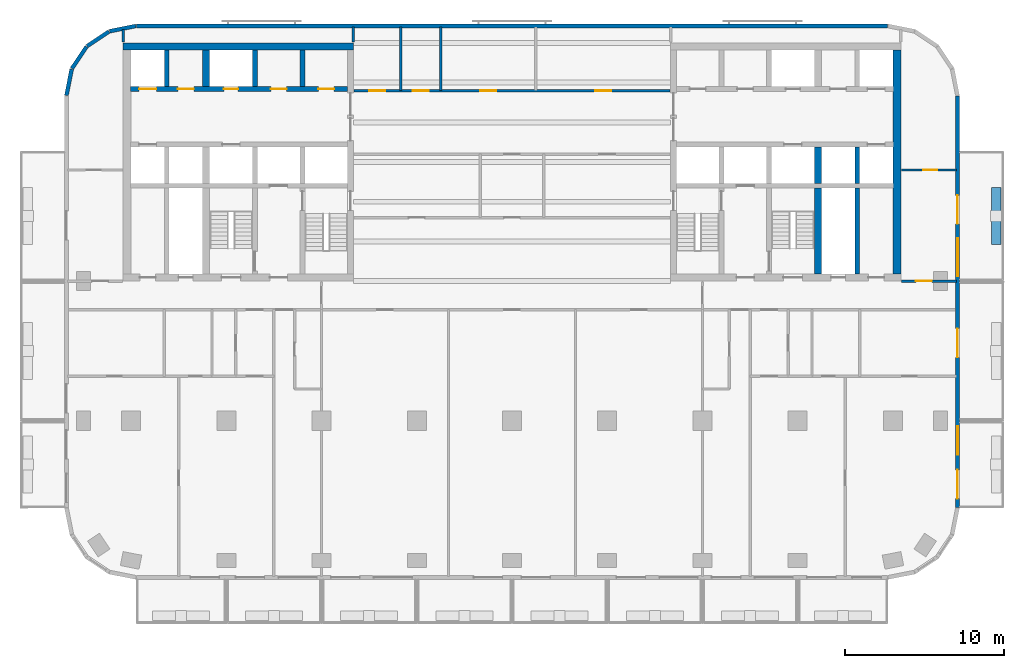
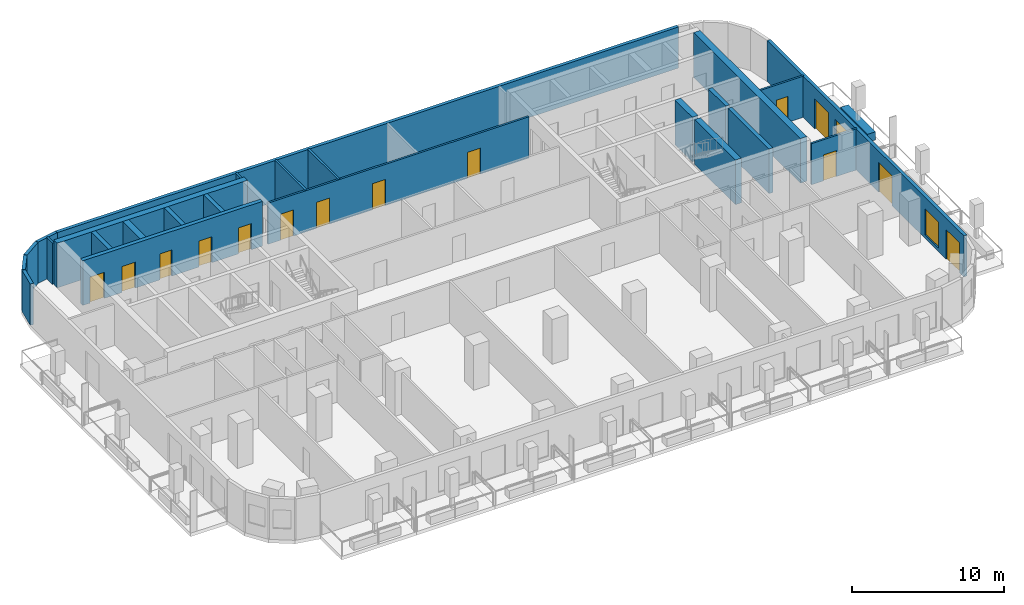
# One storey, part 6 of 11: 25 walls, 14 doors, 2 windows, 16 openings.
"""IFC4 building model written with IfcOpenShell, lengths in metres."""

from ifc_helpers import new_model, si_unit, direction, frame, frame_2d, origin, place, context, subcontext, project, spatial, rectangle, extrude, material, layer, layer_set, type_object, element, fill, save


model = new_model("IFC4")

# Units and contexts
model_context = context("Model", 3, precision=1e-05, world=origin(), true_north=direction((0.0, 1.0)))
body_context = subcontext(model_context, "Body", "Model", "MODEL_VIEW")
ifc_project = project(units=[si_unit("LENGTHUNIT", "METRE"), si_unit("AREAUNIT", "SQUARE_METRE"), si_unit("VOLUMEUNIT", "CUBIC_METRE"), si_unit("PLANEANGLEUNIT", "RADIAN"), si_unit("MASSUNIT", "GRAM", prefix="KILO")], contexts=[model_context])

# Site, building, storey
site_placement = place(None, origin())
site = spatial("IfcSite", under=ifc_project, at=site_placement, CompositionType="ELEMENT")
building_placement = place(site_placement, origin())
building = spatial("IfcBuilding", under=site, at=building_placement, Name="Torana Hotel and Residences", CompositionType="ELEMENT")
storey_placement = place(building_placement, frame((0.0, 0.0, 145.199951171875)))
storey = spatial("IfcBuildingStorey", under=building, at=storey_placement, Name="L37", CompositionType="ELEMENT", Elevation=145.199951171875)

# Wall, openings, doors
ifc_material_1 = material(Name="Concrete C70/85", Category="concrete")
ifc_layer_1 = layer(ifc_material_1, 0.300048828125)
ifc_layer_set_1 = layer_set([ifc_layer_1], Name="CORE WALL 300 C70/85")
wall_type_1 = type_object("IfcWallType", Name="CORE WALL 300 C70/85", PredefinedType="SHEAR", material=ifc_layer_set_1)
wall_1_placement = place(storey_placement, frame((-24.050048828125, -2.89990234375, 0.0), z_axis=(0.0, 0.0, 1.0), x_axis=(1.0, 0.0, 0.0)))
wall_1 = element("IfcWall", 1, at=wall_1_placement, inside=storey, type_object=wall_type_1, Name="Core wall W row-N", PredefinedType="SHEAR", context=body_context, shape_type="SweptSolid", body=[
    extrude(rectangle(XDim=13.699951171875, YDim=0.300048828125, at=frame_2d((6.85009765625, 0.0))), origin(), (0.0, 0.0, 1.0), 3.60009765625),
])
opening_1_placement = place(wall_1_placement, frame((0.550048828125, 0.0, 0.0)))
opening_1 = element("IfcOpeningElement", 2, at=opening_1_placement, cuts=wall_1, Name="Opening LD", PredefinedType="OPENING", context=body_context, shape_type="SweptSolid", body=[
    extrude(rectangle(XDim=1.10009765625, YDim=2.10009765625, at=frame_2d((0.550048828125, 1.050048828125))), frame((0.0, 0.159912109375, 0.0), z_axis=(0.0, -1.0, 0.0), x_axis=(1.0, 0.0, 0.0)), (0.0, 0.0, 1.0), 0.320068359375),
])
opening_2_placement = place(wall_1_placement, frame((5.89990234375, 0.0, 0.0)))
opening_2 = element("IfcOpeningElement", 3, at=opening_2_placement, cuts=wall_1, Name="Opening L37-08", PredefinedType="OPENING", context=body_context, shape_type="SweptSolid", body=[
    extrude(rectangle(XDim=0.89990234375, YDim=2.10009765625, at=frame_2d((0.449951171875, 1.050048828125))), frame((0.0, 0.159912109375, 0.0), z_axis=(0.0, -1.0, 0.0), x_axis=(1.0, 0.0, 0.0)), (0.0, 0.0, 1.0), 0.320068359375),
])
opening_3_placement = place(wall_1_placement, frame((11.85009765625, 0.0, 0.0)))
opening_3 = element("IfcOpeningElement", 4, at=opening_3_placement, cuts=wall_1, Name="Opening L37-09", PredefinedType="OPENING", context=body_context, shape_type="SweptSolid", body=[
    extrude(rectangle(XDim=1.0, YDim=2.10009765625, at=frame_2d((0.5, 1.050048828125))), frame((0.0, 0.159912109375, 0.0), z_axis=(0.0, -1.0, 0.0), x_axis=(1.0, 0.0, 0.0)), (0.0, 0.0, 1.0), 0.320068359375),
])
opening_4_placement = place(wall_1_placement, frame((8.85009765625, 0.0, 0.0)))
opening_4 = element("IfcOpeningElement", 5, at=opening_4_placement, cuts=wall_1, Name="Opening L37-10", PredefinedType="OPENING", context=body_context, shape_type="SweptSolid", body=[
    extrude(rectangle(XDim=1.0, YDim=2.10009765625, at=frame_2d((0.5, 1.050048828125))), frame((0.0, 0.159912109375, 0.0), z_axis=(0.0, -1.0, 0.0), x_axis=(1.0, 0.0, 0.0)), (0.0, 0.0, 1.0), 0.320068359375),
])
opening_5_placement = place(wall_1_placement, frame((3.0, 0.0, 0.0)))
opening_5 = element("IfcOpeningElement", 6, at=opening_5_placement, cuts=wall_1, Name="Opening L37-11", PredefinedType="OPENING", context=body_context, shape_type="SweptSolid", body=[
    extrude(rectangle(XDim=1.0, YDim=2.10009765625, at=frame_2d((0.5, 1.050048828125))), frame((0.0, 0.159912109375, 0.0), z_axis=(0.0, -1.0, 0.0), x_axis=(1.0, 0.0, 0.0)), (0.0, 0.0, 1.0), 0.320068359375),
])
ifc_material_2 = material(Name="Steel S235", Category="steel")
door_type_1 = type_object("IfcDoorType", Name="CORE ROOM FIRE DOOR D14 1000x2100", OperationType="SINGLE_SWING_LEFT", PredefinedType="DOOR", material=ifc_material_2)
door_1_placement = place(opening_3_placement, origin())
door_1 = element("IfcDoor", 7, at=door_1_placement, inside=storey, type_object=door_type_1, Name="N0 door L37", OperationType="SINGLE_SWING_RIGHT", OverallHeight=2.10009765625, OverallWidth=1.0, PredefinedType="DOOR", context=body_context, shape_type="SweptSolid", body=[
    extrude(rectangle(XDim=1.0, YDim=2.10009765625, at=frame_2d((0.5, 1.050048828125))), frame((0.0, 0.02490234375, 0.0), z_axis=(0.0, -1.0, 0.0), x_axis=(1.0, 0.0, 0.0)), (0.0, 0.0, 1.0), 0.050048828125),
])
fill(opening_3, door_1)
door_2_placement = place(opening_4_placement, origin())
door_2 = element("IfcDoor", 8, at=door_2_placement, inside=storey, type_object=door_type_1, Name="N1 door L37", OperationType="SINGLE_SWING_RIGHT", OverallHeight=2.10009765625, OverallWidth=1.0, PredefinedType="DOOR", context=body_context, shape_type="SweptSolid", body=[
    extrude(rectangle(XDim=1.0, YDim=2.10009765625, at=frame_2d((0.5, 1.050048828125))), frame((0.0, 0.02490234375, 0.0), z_axis=(0.0, -1.0, 0.0), x_axis=(1.0, 0.0, 0.0)), (0.0, 0.0, 1.0), 0.050048828125),
])
fill(opening_4, door_2)
door_3_placement = place(opening_5_placement, origin())
door_3 = element("IfcDoor", 9, at=door_3_placement, inside=storey, type_object=door_type_1, Name="Freed-S1 door L37", OperationType="SINGLE_SWING_RIGHT", OverallHeight=2.10009765625, OverallWidth=1.0, PredefinedType="DOOR", context=body_context, shape_type="SweptSolid", body=[
    extrude(rectangle(XDim=1.0, YDim=2.10009765625, at=frame_2d((0.5, 1.050048828125))), frame((0.0, 0.02490234375, 0.0), z_axis=(0.0, -1.0, 0.0), x_axis=(1.0, 0.0, 0.0)), (0.0, 0.0, 1.0), 0.050048828125),
])
fill(opening_5, door_3)
ifc_material_3 = material(Name="Stainless steel 316", Category="steel")
door_type_2 = type_object("IfcDoorType", Name="LIFT LANDING DOOR LD 1100x2100", OperationType="DOUBLE_DOOR_SLIDING", PredefinedType="USERDEFINED", material=ifc_material_3)
door_4_placement = place(opening_1_placement, origin())
door_4 = element("IfcDoor", 10, at=door_4_placement, inside=storey, type_object=door_type_2, Name="Lift landing door M1 L37", ObjectType="LIFT LANDING DOOR", OperationType="DOUBLE_DOOR_SLIDING", OverallHeight=2.10009765625, OverallWidth=1.10009765625, PredefinedType="USERDEFINED", context=body_context, shape_type="SweptSolid", body=[
    extrude(rectangle(XDim=1.10009765625, YDim=2.10009765625, at=frame_2d((0.550048828125, 1.050048828125))), frame((0.0, 0.02490234375, 0.0), z_axis=(0.0, -1.0, 0.0), x_axis=(1.0, 0.0, 0.0)), (0.0, 0.0, 1.0), 0.050048828125),
])
fill(opening_1, door_4)
ifc_material_4 = material(Name="Steel S235", Category="steel")
door_type_3 = type_object("IfcDoorType", Name="RISER ACCESS DOOR D5 900x2100", OperationType="SINGLE_SWING_LEFT", PredefinedType="DOOR", material=ifc_material_4)
door_5_placement = place(opening_2_placement, origin())
door_5 = element("IfcDoor", 11, at=door_5_placement, inside=storey, type_object=door_type_3, Name="N2 door L37", OperationType="SINGLE_SWING_RIGHT", OverallHeight=2.10009765625, OverallWidth=0.89990234375, PredefinedType="DOOR", context=body_context, shape_type="SweptSolid", body=[
    extrude(rectangle(XDim=0.89990234375, YDim=2.10009765625, at=frame_2d((0.449951171875, 1.050048828125))), frame((0.0, 0.02490234375, 0.0), z_axis=(0.0, -1.0, 0.0), x_axis=(1.0, 0.0, 0.0)), (0.0, 0.0, 1.0), 0.050048828125),
])
fill(opening_2, door_5)

# Walls
for number, where, z_axis, x_axis, name in (
    (12, (-13.199951171875, -2.75, 0.0), (0.0, 0.0, 1.0), (0.0, 1.0, 0.0), "Core wall W x3.05-N"),
    (13, (-16.199951171875, -2.75, 0.0), (0.0, 0.0, 1.0), (0.0, 1.0, 0.0), "Core wall W x6.05-N"),
    (14, (-21.75, -2.75, 0.0), (0.0, 0.0, 1.0), (0.0, 1.0, 0.0), "Core wall W mm-N"),
    (15, (21.75, -8.85009765625, 0.0), (0.0, 0.0, 1.0), (0.0, 1.0, 0.0), "Core wall E mm-S"),
):
    element("IfcWall", number, at=place(storey_placement, frame(where, z_axis=z_axis, x_axis=x_axis)), inside=storey, type_object=wall_type_1, Name=name, PredefinedType="SHEAR", context=body_context, shape_type="SweptSolid", body=[
        extrude(rectangle(XDim=2.300048828125, YDim=0.300048828125, at=frame_2d((1.14990234375, 0.0))), origin(), (0.0, 0.0, 1.0), 3.60009765625),
    ])
wall_2_placement = place(storey_placement, frame((21.75, -14.550048828125, 0.0), z_axis=(0.0, 0.0, 1.0), x_axis=(0.0, 1.0, 0.0)))
element("IfcWall", 16, at=wall_2_placement, inside=storey, type_object=wall_type_1, Name="Core wall E mm-band", PredefinedType="SHEAR", context=body_context, shape_type="SweptSolid", body=[
    extrude(rectangle(XDim=5.400146484375, YDim=0.300048828125, at=frame_2d((2.7001953125, 0.0))), origin(), (0.0, 0.0, 1.0), 3.60009765625),
])
ifc_material_5 = material(Name="Concrete C70/85", Category="concrete")
ifc_layer_2 = layer(ifc_material_5, 0.449951171875)
ifc_layer_set_2 = layer_set([ifc_layer_2], Name="CORE WALL 450 C70/85")
wall_type_2 = type_object("IfcWallType", Name="CORE WALL 450 C70/85", PredefinedType="SHEAR", material=ifc_layer_set_2)
wall_3_placement = place(storey_placement, frame((-24.5, -0.22509765625, 0.0), z_axis=(0.0, 0.0, 1.0), x_axis=(1.0, 0.0, 0.0)))
element("IfcWall", 17, at=wall_3_placement, inside=storey, type_object=wall_type_2, Name="Core wall W rear", PredefinedType="SHEAR", context=body_context, shape_type="SweptSolid", body=[
    extrude(rectangle(XDim=14.5, YDim=0.449951171875, at=frame_2d((7.25, 0.0))), origin(), (0.0, 0.0, 1.0), 3.60009765625),
])
for number, where, z_axis, x_axis, name in (
    (18, (-19.27490234375, -2.75, 0.0), (0.0, 0.0, 1.0), (0.0, 1.0, 0.0), "Core wall W hm-N"),
    (19, (19.27490234375, -8.85009765625, 0.0), (0.0, 0.0, 1.0), (0.0, 1.0, 0.0), "Core wall E hm-S"),
):
    element("IfcWall", number, at=place(storey_placement, frame(where, z_axis=z_axis, x_axis=x_axis)), inside=storey, type_object=wall_type_2, Name=name, PredefinedType="SHEAR", context=body_context, shape_type="SweptSolid", body=[
        extrude(rectangle(XDim=2.300048828125, YDim=0.449951171875, at=frame_2d((1.14990234375, 0.0))), origin(), (0.0, 0.0, 1.0), 3.60009765625),
    ])
wall_4_placement = place(storey_placement, frame((19.27490234375, -14.550048828125, 0.0), z_axis=(0.0, 0.0, 1.0), x_axis=(0.0, 1.0, 0.0)))
element("IfcWall", 20, at=wall_4_placement, inside=storey, type_object=wall_type_2, Name="Core wall E hm-band", PredefinedType="SHEAR", context=body_context, shape_type="SweptSolid", body=[
    extrude(rectangle(XDim=5.400146484375, YDim=0.449951171875, at=frame_2d((2.7001953125, 0.0))), origin(), (0.0, 0.0, 1.0), 3.60009765625),
])
ifc_material_6 = material(Name="Concrete C70/85", Category="concrete")
ifc_layer_3 = layer(ifc_material_6, 0.5)
ifc_layer_set_3 = layer_set([ifc_layer_3], Name="CORE WALL 500 C70/85")
wall_type_3 = type_object("IfcWallType", Name="CORE WALL 500 C70/85", PredefinedType="SHEAR", material=ifc_layer_set_3)
wall_5_placement = place(storey_placement, frame((24.25, -14.550048828125, 0.0), z_axis=(0.0, 0.0, 1.0), x_axis=(0.0, 1.0, 0.0)))
element("IfcWall", 21, at=wall_5_placement, inside=storey, type_object=wall_type_3, Name="Core wall E outer", PredefinedType="SHEAR", context=body_context, shape_type="SweptSolid", body=[
    extrude(rectangle(XDim=14.10009765625, YDim=0.5, at=frame_2d((7.050048828125, 0.0))), origin(), (0.0, 0.0, 1.0), 3.60009765625),
])
ifc_material_7 = material(Name="Black aluminium composite panel", Category="aluminium")
ifc_layer_4 = layer(ifc_material_7, 0.00390625, Name="Cladding", Category="cladding")
ifc_material_8 = material(Name="Ventilated air cavity")
ifc_layer_5 = layer(ifc_material_8, 0.0400390625, Name="Ventilated cavity", Category="cavity")
ifc_material_9 = material(Name="Mineral wool insulation")
ifc_layer_6 = layer(ifc_material_9, 0.090087890625, Name="Insulation", Category="insulation")
ifc_material_10 = material(Name="Steel S280GD", Category="steel")
ifc_layer_7 = layer(ifc_material_10, 0.092041015625, Name="Steel stud frame", Category="structure")
ifc_material_11 = material(Name="Fire rated plasterboard")
ifc_layer_8 = layer(ifc_material_11, 0.011962890625, Name="Inner board", Category="finish")
ifc_layer_9 = layer(ifc_material_11, 0.011962890625, Name="Second board", Category="finish")
ifc_layer_set_4 = layer_set([ifc_layer_4, ifc_layer_5, ifc_layer_6, ifc_layer_7, ifc_layer_8, ifc_layer_9], Name="EW1 EXTERNAL WALL BLACK METAL CLAD 250")
wall_type_4 = type_object("IfcWallType", Name="EW1 EXTERNAL WALL BLACK METAL CLAD 250", PredefinedType="SOLIDWALL", material=ifc_layer_set_4)
wall_6_placement = place(storey_placement, frame((-23.69970703125, 1.072509765625, 0.0), z_axis=(0.0, 0.0, 1.0), x_axis=(-0.980803419081, -0.194999110559, 0.0)))
element("IfcWall", 22, at=wall_6_placement, inside=storey, type_object=wall_type_4, Name="External wall L37 e0.5", PredefinedType="SOLIDWALL", context=body_context, shape_type="SweptSolid", body=[
    extrude(rectangle(XDim=1.681396484375, YDim=0.25, at=frame_2d((0.8408203125, 0.0))), origin(), (0.0, 0.0, 1.0), 3.320068359375),
])
for number, where, z_axis, x_axis, name in (
    (23, (-25.39404296875, 0.725830078125, 0.0), (0.0, 0.0, 1.0), (-0.831482937015, -0.55555029066, 0.0), "External wall L37 e0.6"),
    (24, (-26.8056640625, -0.228759765625, 0.0), (0.0, 0.0, 1.0), (-0.55555029066, -0.831482937015, 0.0), "External wall L37 e0.7"),
):
    element("IfcWall", number, at=place(storey_placement, frame(where, z_axis=z_axis, x_axis=x_axis)), inside=storey, type_object=wall_type_4, Name=name, PredefinedType="SOLIDWALL", context=body_context, shape_type="SweptSolid", body=[
        extrude(rectangle(XDim=1.65625, YDim=0.25, at=frame_2d((0.828125, 0.0))), origin(), (0.0, 0.0, 1.0), 3.320068359375),
    ])
wall_7_placement = place(storey_placement, frame((-27.74462890625, -1.651123046875, 0.0), z_axis=(0.0, 0.0, 1.0), x_axis=(-0.194999110559, -0.980803419081, 0.0)))
element("IfcWall", 25, at=wall_7_placement, inside=storey, type_object=wall_type_4, Name="External wall L37 e0.8", PredefinedType="SOLIDWALL", context=body_context, shape_type="SweptSolid", body=[
    extrude(rectangle(XDim=1.681396484375, YDim=0.25, at=frame_2d((0.8408203125, 0.0))), origin(), (0.0, 0.0, 1.0), 3.320068359375),
])

# Wall, openings, doors, windows
wall_8_placement = place(storey_placement, frame((28.074951171875, -29.275390625, 0.0), z_axis=(0.0, 0.0, 1.0), x_axis=(0.0, 1.0, 0.0)))
wall_8 = element("IfcWall", 26, at=wall_8_placement, inside=storey, type_object=wall_type_4, Name="External wall L37 e0.19", PredefinedType="SOLIDWALL", context=body_context, shape_type="SweptSolid", body=[
    extrude(rectangle(XDim=25.95068359375, YDim=0.25, at=frame_2d((12.975341796875, 0.0))), origin(), (0.0, 0.0, 1.0), 3.320068359375),
])
opening_6_placement = place(wall_8_placement, frame((0.575439453125, 0.0, 0.0)))
opening_6 = element("IfcOpeningElement", 27, at=opening_6_placement, cuts=wall_8, Name="Opening L37-E09", PredefinedType="OPENING", context=body_context, shape_type="SweptSolid", body=[
    extrude(rectangle(XDim=1.800048828125, YDim=2.39990234375, at=frame_2d((0.89990234375, 1.199951171875))), frame((0.0, 0.135009765625, 0.0), z_axis=(0.0, -1.0, 0.0), x_axis=(1.0, 0.0, 0.0)), (0.0, 0.0, 1.0), 0.27001953125),
])
opening_7_placement = place(wall_8_placement, frame((3.325439453125, 0.0, 0.300048828125)))
opening_7 = element("IfcOpeningElement", 28, at=opening_7_placement, cuts=wall_8, Name="Opening W2", PredefinedType="OPENING", context=body_context, shape_type="SweptSolid", body=[
    extrude(rectangle(XDim=1.800048828125, YDim=2.10009765625, at=frame_2d((0.89990234375, 1.050048828125))), frame((0.0, 0.135009765625, 0.0), z_axis=(0.0, -1.0, 0.0), x_axis=(1.0, 0.0, 0.0)), (0.0, 0.0, 1.0), 0.27001953125),
])
opening_8_placement = place(wall_8_placement, frame((9.475341796875, 0.0, 0.0)))
opening_8 = element("IfcOpeningElement", 29, at=opening_8_placement, cuts=wall_8, Name="Opening L37-E10", PredefinedType="OPENING", context=body_context, shape_type="SweptSolid", body=[
    extrude(rectangle(XDim=1.800048828125, YDim=2.39990234375, at=frame_2d((0.89990234375, 1.199951171875))), frame((0.0, 0.135009765625, 0.0), z_axis=(0.0, -1.0, 0.0), x_axis=(1.0, 0.0, 0.0)), (0.0, 0.0, 1.0), 0.27001953125),
])
opening_9_placement = place(wall_8_placement, frame((14.575439453125, 0.0, 0.300048828125)))
opening_9 = element("IfcOpeningElement", 30, at=opening_9_placement, cuts=wall_8, Name="Opening W1", PredefinedType="OPENING", context=body_context, shape_type="SweptSolid", body=[
    extrude(rectangle(XDim=2.39990234375, YDim=2.10009765625, at=frame_2d((1.199951171875, 1.050048828125))), frame((0.0, 0.135009765625, 0.0), z_axis=(0.0, -1.0, 0.0), x_axis=(1.0, 0.0, 0.0)), (0.0, 0.0, 1.0), 0.27001953125),
])
opening_10_placement = place(wall_8_placement, frame((17.87548828125, 0.0, 0.0)))
opening_10 = element("IfcOpeningElement", 31, at=opening_10_placement, cuts=wall_8, Name="Opening L37-E11", PredefinedType="OPENING", context=body_context, shape_type="SweptSolid", body=[
    extrude(rectangle(XDim=1.800048828125, YDim=2.39990234375, at=frame_2d((0.89990234375, 1.199951171875))), frame((0.0, 0.135009765625, 0.0), z_axis=(0.0, -1.0, 0.0), x_axis=(1.0, 0.0, 0.0)), (0.0, 0.0, 1.0), 0.27001953125),
])
ifc_material_12 = material(Name="Dark glass in black aluminium frame", Category="aluminium")
door_type_4 = type_object("IfcDoorType", Name="DB1 BALCONY DOOR 1800x2400", OperationType="DOUBLE_DOOR_SINGLE_SWING", PredefinedType="DOOR", material=ifc_material_12)
door_6_placement = place(opening_6_placement, origin())
door_6 = element("IfcDoor", 32, at=door_6_placement, inside=storey, type_object=door_type_4, Name="Balcony door L37", OperationType="DOUBLE_DOOR_SINGLE_SWING", OverallHeight=2.39990234375, OverallWidth=1.800048828125, PredefinedType="DOOR", context=body_context, shape_type="SweptSolid", body=[
    extrude(rectangle(XDim=1.800048828125, YDim=2.39990234375, at=frame_2d((0.89990234375, 1.199951171875))), frame((0.0, 0.02490234375, 0.0), z_axis=(0.0, -1.0, 0.0), x_axis=(1.0, 0.0, 0.0)), (0.0, 0.0, 1.0), 0.050048828125),
])
fill(opening_6, door_6)
door_7_placement = place(opening_8_placement, origin())
door_7 = element("IfcDoor", 33, at=door_7_placement, inside=storey, type_object=door_type_4, Name="Balcony door L37", OperationType="DOUBLE_DOOR_SINGLE_SWING", OverallHeight=2.39990234375, OverallWidth=1.800048828125, PredefinedType="DOOR", context=body_context, shape_type="SweptSolid", body=[
    extrude(rectangle(XDim=1.800048828125, YDim=2.39990234375, at=frame_2d((0.89990234375, 1.199951171875))), frame((0.0, 0.02490234375, 0.0), z_axis=(0.0, -1.0, 0.0), x_axis=(1.0, 0.0, 0.0)), (0.0, 0.0, 1.0), 0.050048828125),
])
fill(opening_8, door_7)
door_8_placement = place(opening_10_placement, origin())
door_8 = element("IfcDoor", 34, at=door_8_placement, inside=storey, type_object=door_type_4, Name="Balcony door L37", OperationType="DOUBLE_DOOR_SINGLE_SWING", OverallHeight=2.39990234375, OverallWidth=1.800048828125, PredefinedType="DOOR", context=body_context, shape_type="SweptSolid", body=[
    extrude(rectangle(XDim=1.800048828125, YDim=2.39990234375, at=frame_2d((0.89990234375, 1.199951171875))), frame((0.0, 0.02490234375, 0.0), z_axis=(0.0, -1.0, 0.0), x_axis=(1.0, 0.0, 0.0)), (0.0, 0.0, 1.0), 0.050048828125),
])
fill(opening_10, door_8)
ifc_material_13 = material(Name="Dark glass in black aluminium frame", Category="aluminium")
window_type_1 = type_object("IfcWindowType", Name="W1 HOTEL ROOM WINDOW 2400x2100", PartitioningType="SINGLE_PANEL", PredefinedType="WINDOW", material=ifc_material_13)
window_1_placement = place(opening_9_placement, origin())
window_1 = element("IfcWindow", 35, at=window_1_placement, inside=storey, type_object=window_type_1, Name="Window L37", OverallHeight=2.10009765625, OverallWidth=2.39990234375, PartitioningType="SINGLE_PANEL", PredefinedType="WINDOW", context=body_context, shape_type="SweptSolid", body=[
    extrude(rectangle(XDim=2.39990234375, YDim=2.10009765625, at=frame_2d((1.199951171875, 1.050048828125))), frame((0.0, 0.030029296875, 0.0), z_axis=(0.0, -1.0, 0.0), x_axis=(1.0, 0.0, 0.0)), (0.0, 0.0, 1.0), 0.06005859375),
])
fill(opening_9, window_1)
ifc_material_14 = material(Name="Dark glass in black aluminium frame", Category="aluminium")
window_type_2 = type_object("IfcWindowType", Name="W2 HOTEL ROOM WINDOW NARROW 1800x2100", PartitioningType="SINGLE_PANEL", PredefinedType="WINDOW", material=ifc_material_14)
window_2_placement = place(opening_7_placement, origin())
window_2 = element("IfcWindow", 36, at=window_2_placement, inside=storey, type_object=window_type_2, Name="Window L37", OverallHeight=2.10009765625, OverallWidth=1.800048828125, PartitioningType="SINGLE_PANEL", PredefinedType="WINDOW", context=body_context, shape_type="SweptSolid", body=[
    extrude(rectangle(XDim=1.800048828125, YDim=2.10009765625, at=frame_2d((0.89990234375, 1.050048828125))), frame((0.0, 0.030029296875, 0.0), z_axis=(0.0, -1.0, 0.0), x_axis=(1.0, 0.0, 0.0)), (0.0, 0.0, 1.0), 0.06005859375),
])
fill(opening_7, window_2)

# Wall
ifc_material_15 = material(Name="Concrete C40/50 precast", Category="concrete")
ifc_layer_10 = layer(ifc_material_15, 0.10009765625, Name="Perforated block", Category="cladding")
ifc_material_16 = material(Name="Air cavity")
ifc_layer_11 = layer(ifc_material_16, 0.030029296875, Name="Cavity", Category="cavity")
ifc_material_17 = material(Name="Concrete C40/50", Category="concrete")
ifc_layer_12 = layer(ifc_material_17, 0.10009765625, Name="Wall", Category="structure")
ifc_material_18 = material(Name="Plaster and paint")
ifc_layer_13 = layer(ifc_material_18, 0.02001953125, Name="Inner finish", Category="finish")
ifc_layer_set_5 = layer_set([ifc_layer_10, ifc_layer_11, ifc_layer_12, ifc_layer_13], Name="EW2 PERFORATED BLOCK SCREEN WALL 250")
wall_type_5 = type_object("IfcWallType", Name="EW2 PERFORATED BLOCK SCREEN WALL 250", PredefinedType="SOLIDWALL", material=ifc_layer_set_5)
wall_9_placement = place(storey_placement, frame((23.67529296875, 1.074951171875, 0.0), z_axis=(0.0, 0.0, 1.0), x_axis=(-1.0, 0.0, 0.0)))
element("IfcWall", 37, at=wall_9_placement, inside=storey, type_object=wall_type_5, Name="External wall L37 e0.4", PredefinedType="SOLIDWALL", context=body_context, shape_type="SweptSolid", body=[
    extrude(rectangle(XDim=47.3505859375, YDim=0.25, at=frame_2d((23.67529296875, 0.0))), origin(), (0.0, 0.0, 1.0), 3.320068359375),
])

# Wall, opening, door
ifc_material_19 = material(Name="Gypsum plaster")
ifc_layer_14 = layer(ifc_material_19, 0.014892578125, Name="Plaster", Category="finish")
ifc_material_20 = material(Name="Concrete blockwork", Category="masonry")
ifc_layer_15 = layer(ifc_material_20, 0.1201171875, Name="Blockwork", Category="structure")
ifc_layer_16 = layer(ifc_material_19, 0.014892578125, Name="Plaster", Category="finish")
ifc_layer_set_6 = layer_set([ifc_layer_14, ifc_layer_15, ifc_layer_16], Name="FIRE PARTITION 150 BLOCKWORK")
wall_type_6 = type_object("IfcWallType", Name="FIRE PARTITION 150 BLOCKWORK", PredefinedType="PARTITIONING", material=ifc_layer_set_6)
wall_10_placement = place(storey_placement, frame((24.550048828125, -15.0, 0.0), z_axis=(0.0, 0.0, 1.0), x_axis=(1.0, 0.0, 0.0)))
wall_10 = element("IfcWall", 38, at=wall_10_placement, inside=storey, type_object=wall_type_6, Name="Partition L37", PredefinedType="PARTITIONING", context=body_context, shape_type="SweptSolid", body=[
    extrude(rectangle(XDim=3.469970703125, YDim=0.14990234375, at=frame_2d((1.73486328125, 0.0))), origin(), (0.0, 0.0, 1.0), 3.320068359375),
])
opening_11_placement = place(wall_10_placement, frame((0.89990234375, 0.0, 0.0)))
opening_11 = element("IfcOpeningElement", 39, at=opening_11_placement, cuts=wall_10, Name="Opening L37-34", PredefinedType="OPENING", context=body_context, shape_type="SweptSolid", body=[
    extrude(rectangle(XDim=1.0, YDim=2.10009765625, at=frame_2d((0.5, 1.050048828125))), frame((0.0, 0.0849609375, 0.0), z_axis=(0.0, -1.0, 0.0), x_axis=(1.0, 0.0, 0.0)), (0.0, 0.0, 1.0), 0.169921875),
])
door_9_placement = place(opening_11_placement, origin())
door_9 = element("IfcDoor", 40, at=door_9_placement, inside=storey, type_object=door_type_1, Name="Door L37", OperationType="SINGLE_SWING_LEFT", OverallHeight=2.10009765625, OverallWidth=1.0, PredefinedType="DOOR", context=body_context, shape_type="SweptSolid", body=[
    extrude(rectangle(XDim=1.0, YDim=2.10009765625, at=frame_2d((0.5, 1.050048828125))), frame((0.0, 0.02490234375, 0.0), z_axis=(0.0, -1.0, 0.0), x_axis=(1.0, 0.0, 0.0)), (0.0, 0.0, 1.0), 0.050048828125),
])
fill(opening_11, door_9)

# Wall, openings, doors
wall_11_placement = place(storey_placement, frame((-9.949951171875, -3.0, 0.0), z_axis=(0.0, 0.0, 1.0), x_axis=(1.0, 0.0, 0.0)))
wall_11 = element("IfcWall", 41, at=wall_11_placement, inside=storey, type_object=wall_type_6, Name="Partition L37", PredefinedType="PARTITIONING", context=body_context, shape_type="SweptSolid", body=[
    extrude(rectangle(XDim=19.89990234375, YDim=0.14990234375, at=frame_2d((9.949951171875, 0.0))), origin(), (0.0, 0.0, 1.0), 3.320068359375),
])
opening_12_placement = place(wall_11_placement, frame((0.949951171875, 0.0, 0.0)))
opening_12 = element("IfcOpeningElement", 42, at=opening_12_placement, cuts=wall_11, Name="Opening L37-42", PredefinedType="OPENING", context=body_context, shape_type="SweptSolid", body=[
    extrude(rectangle(XDim=1.0, YDim=2.10009765625, at=frame_2d((0.5, 1.050048828125))), frame((0.0, 0.0849609375, 0.0), z_axis=(0.0, -1.0, 0.0), x_axis=(1.0, 0.0, 0.0)), (0.0, 0.0, 1.0), 0.169921875),
])
opening_13_placement = place(wall_11_placement, frame((3.699951171875, 0.0, 0.0)))
opening_13 = element("IfcOpeningElement", 43, at=opening_13_placement, cuts=wall_11, Name="Opening L37-43", PredefinedType="OPENING", context=body_context, shape_type="SweptSolid", body=[
    extrude(rectangle(XDim=1.0, YDim=2.10009765625, at=frame_2d((0.5, 1.050048828125))), frame((0.0, 0.0849609375, 0.0), z_axis=(0.0, -1.0, 0.0), x_axis=(1.0, 0.0, 0.0)), (0.0, 0.0, 1.0), 0.169921875),
])
opening_14_placement = place(wall_11_placement, frame((7.949951171875, 0.0, 0.0)))
opening_14 = element("IfcOpeningElement", 44, at=opening_14_placement, cuts=wall_11, Name="Opening L37-44", PredefinedType="OPENING", context=body_context, shape_type="SweptSolid", body=[
    extrude(rectangle(XDim=1.0, YDim=2.10009765625, at=frame_2d((0.5, 1.050048828125))), frame((0.0, 0.0849609375, 0.0), z_axis=(0.0, -1.0, 0.0), x_axis=(1.0, 0.0, 0.0)), (0.0, 0.0, 1.0), 0.169921875),
])
opening_15_placement = place(wall_11_placement, frame((15.199951171875, 0.0, 0.0)))
opening_15 = element("IfcOpeningElement", 45, at=opening_15_placement, cuts=wall_11, Name="Opening L37-45", PredefinedType="OPENING", context=body_context, shape_type="SweptSolid", body=[
    extrude(rectangle(XDim=1.0, YDim=2.10009765625, at=frame_2d((0.5, 1.050048828125))), frame((0.0, 0.0849609375, 0.0), z_axis=(0.0, -1.0, 0.0), x_axis=(1.0, 0.0, 0.0)), (0.0, 0.0, 1.0), 0.169921875),
])
ifc_material_21 = material(Name="Steel S235", Category="steel")
door_type_5 = type_object("IfcDoorType", Name="ENTRY FIRE DOOR D6 1000x2100", OperationType="SINGLE_SWING_LEFT", PredefinedType="DOOR", material=ifc_material_21)
door_10_placement = place(opening_12_placement, origin())
door_10 = element("IfcDoor", 46, at=door_10_placement, inside=storey, type_object=door_type_5, Name="Door L37", OperationType="SINGLE_SWING_RIGHT", OverallHeight=2.10009765625, OverallWidth=1.0, PredefinedType="DOOR", context=body_context, shape_type="SweptSolid", body=[
    extrude(rectangle(XDim=1.0, YDim=2.10009765625, at=frame_2d((0.5, 1.050048828125))), frame((0.0, 0.02490234375, 0.0), z_axis=(0.0, -1.0, 0.0), x_axis=(1.0, 0.0, 0.0)), (0.0, 0.0, 1.0), 0.050048828125),
])
fill(opening_12, door_10)
door_11_placement = place(opening_13_placement, origin())
door_11 = element("IfcDoor", 47, at=door_11_placement, inside=storey, type_object=door_type_5, Name="Door L37", OperationType="SINGLE_SWING_RIGHT", OverallHeight=2.10009765625, OverallWidth=1.0, PredefinedType="DOOR", context=body_context, shape_type="SweptSolid", body=[
    extrude(rectangle(XDim=1.0, YDim=2.10009765625, at=frame_2d((0.5, 1.050048828125))), frame((0.0, 0.02490234375, 0.0), z_axis=(0.0, -1.0, 0.0), x_axis=(1.0, 0.0, 0.0)), (0.0, 0.0, 1.0), 0.050048828125),
])
fill(opening_13, door_11)
door_12_placement = place(opening_14_placement, origin())
door_12 = element("IfcDoor", 48, at=door_12_placement, inside=storey, type_object=door_type_5, Name="Door L37", OperationType="SINGLE_SWING_RIGHT", OverallHeight=2.10009765625, OverallWidth=1.0, PredefinedType="DOOR", context=body_context, shape_type="SweptSolid", body=[
    extrude(rectangle(XDim=1.0, YDim=2.10009765625, at=frame_2d((0.5, 1.050048828125))), frame((0.0, 0.02490234375, 0.0), z_axis=(0.0, -1.0, 0.0), x_axis=(1.0, 0.0, 0.0)), (0.0, 0.0, 1.0), 0.050048828125),
])
fill(opening_14, door_12)
door_13_placement = place(opening_15_placement, origin())
door_13 = element("IfcDoor", 49, at=door_13_placement, inside=storey, type_object=door_type_5, Name="Door L37", OperationType="SINGLE_SWING_RIGHT", OverallHeight=2.10009765625, OverallWidth=1.0, PredefinedType="DOOR", context=body_context, shape_type="SweptSolid", body=[
    extrude(rectangle(XDim=1.0, YDim=2.10009765625, at=frame_2d((0.5, 1.050048828125))), frame((0.0, 0.02490234375, 0.0), z_axis=(0.0, -1.0, 0.0), x_axis=(1.0, 0.0, 0.0)), (0.0, 0.0, 1.0), 0.050048828125),
])
fill(opening_15, door_13)

# Wall
ifc_material_22 = material(Name="Gypsum plasterboard")
ifc_layer_17 = layer(ifc_material_22, 0.012451171875, Name="Plasterboard", Category="finish")
ifc_layer_18 = layer(ifc_material_22, 0.012451171875, Name="Plasterboard", Category="finish")
ifc_layer_19 = layer(ifc_material_10, 0.10009765625, Name="Steel studs with mineral wool", Category="insulation")
ifc_layer_20 = layer(ifc_material_22, 0.012451171875, Name="Plasterboard", Category="finish")
ifc_layer_21 = layer(ifc_material_22, 0.012451171875, Name="Plasterboard", Category="finish")
ifc_layer_set_7 = layer_set([ifc_layer_17, ifc_layer_18, ifc_layer_19, ifc_layer_20, ifc_layer_21], Name="PARTITION 150 PLASTERBOARD")
wall_type_7 = type_object("IfcWallType", Name="PARTITION 150 PLASTERBOARD", PredefinedType="PARTITIONING", material=ifc_layer_set_7)
wall_12_placement = place(storey_placement, frame((-24.5, 0.050048828125, 0.0), z_axis=(0.0, 0.0, 1.0), x_axis=(0.0, 1.0, 0.0)))
element("IfcWall", 50, at=wall_12_placement, inside=storey, type_object=wall_type_7, Name="Partition L37", PredefinedType="PARTITIONING", context=body_context, shape_type="SweptSolid", body=[
    extrude(rectangle(XDim=0.807373046875, YDim=0.14990234375, at=frame_2d((0.40380859375, 0.0))), origin(), (0.0, 0.0, 1.0), 3.320068359375),
])

# Wall, opening, door
wall_13_placement = place(storey_placement, frame((24.550048828125, -8.0, 0.0), z_axis=(0.0, 0.0, 1.0), x_axis=(1.0, 0.0, 0.0)))
wall_13 = element("IfcWall", 51, at=wall_13_placement, inside=storey, type_object=wall_type_7, Name="Partition L37", PredefinedType="PARTITIONING", context=body_context, shape_type="SweptSolid", body=[
    extrude(rectangle(XDim=3.469970703125, YDim=0.14990234375, at=frame_2d((1.73486328125, 0.0))), origin(), (0.0, 0.0, 1.0), 3.320068359375),
])
opening_16_placement = place(wall_13_placement, frame((1.35009765625, 0.0, 0.0)))
opening_16 = element("IfcOpeningElement", 52, at=opening_16_placement, cuts=wall_13, Name="Opening L37-59", PredefinedType="OPENING", context=body_context, shape_type="SweptSolid", body=[
    extrude(rectangle(XDim=0.89990234375, YDim=2.10009765625, at=frame_2d((0.449951171875, 1.050048828125))), frame((0.0, 0.0849609375, 0.0), z_axis=(0.0, -1.0, 0.0), x_axis=(1.0, 0.0, 0.0)), (0.0, 0.0, 1.0), 0.169921875),
])
ifc_material_23 = material(Name="Timber door, oiled ash", Category="wood")
door_type_6 = type_object("IfcDoorType", Name="ROOM DOOR D7 900x2100", OperationType="SINGLE_SWING_LEFT", PredefinedType="DOOR", material=ifc_material_23)
door_14_placement = place(opening_16_placement, origin())
door_14 = element("IfcDoor", 53, at=door_14_placement, inside=storey, type_object=door_type_6, Name="Door L37", OperationType="SINGLE_SWING_LEFT", OverallHeight=2.10009765625, OverallWidth=0.89990234375, PredefinedType="DOOR", context=body_context, shape_type="SweptSolid", body=[
    extrude(rectangle(XDim=0.89990234375, YDim=2.10009765625, at=frame_2d((0.449951171875, 1.050048828125))), frame((0.0, 0.02490234375, 0.0), z_axis=(0.0, -1.0, 0.0), x_axis=(1.0, 0.0, 0.0)), (0.0, 0.0, 1.0), 0.050048828125),
])
fill(opening_16, door_14)

# Walls
ifc_layer_22 = layer(ifc_material_15, 0.10009765625, Name="Planter shell", Category="structure")
ifc_material_24 = material(Name="Root resistant membrane")
ifc_layer_23 = layer(ifc_material_24, 0.00390625, Name="Waterproofing membrane", Category="membrane")
ifc_material_25 = material(Name="Drainage board with filter fleece")
ifc_layer_24 = layer(ifc_material_25, 0.02001953125, Name="Drainage board", Category="drainage")
ifc_material_26 = material(Name="Growing medium")
ifc_layer_25 = layer(ifc_material_26, 0.47607421875, Name="Planting substrate", Category="soil")
ifc_layer_set_8 = layer_set([ifc_layer_22, ifc_layer_23, ifc_layer_24, ifc_layer_25], Name="PL1 BALCONY PLANTER 600")
wall_type_8 = type_object("IfcWallType", Name="PL1 BALCONY PLANTER 600", PredefinedType="USERDEFINED", material=ifc_layer_set_8)
wall_14_placement = place(storey_placement, frame((30.5, -9.10009765625, 0.0), z_axis=(0.0, 0.0, 1.0), x_axis=(0.0, -1.0, 0.0)))
element("IfcWall", 54, at=wall_14_placement, inside=storey, type_object=wall_type_8, Name="Planter 14", ObjectType="PLANTER", PredefinedType="USERDEFINED", context=body_context, shape_type="SweptSolid", body=[
    extrude(rectangle(XDim=3.599853515625, YDim=0.60009765625, at=frame_2d((1.7998046875, 0.0))), origin(), (0.0, 0.0, 1.0), 0.650146484375),
])
ifc_material_27 = material(Name="Ceramic tile on adhesive")
ifc_layer_26 = layer(ifc_material_27, 0.010009765625, Name="Wall tile", Category="finish")
ifc_material_28 = material(Name="Cement render")
ifc_layer_27 = layer(ifc_material_28, 0.010009765625, Name="Render", Category="finish")
ifc_layer_28 = layer(ifc_material_20, 0.110107421875, Name="Blockwork", Category="structure")
ifc_layer_29 = layer(ifc_material_28, 0.010009765625, Name="Render", Category="finish")
ifc_layer_30 = layer(ifc_material_27, 0.010009765625, Name="Wall tile", Category="finish")
ifc_layer_set_9 = layer_set([ifc_layer_26, ifc_layer_27, ifc_layer_28, ifc_layer_29, ifc_layer_30], Name="WC PARTITION 150")
wall_type_9 = type_object("IfcWallType", Name="WC PARTITION 150", PredefinedType="PLUMBINGWALL", material=ifc_layer_set_9)
for number, where, z_axis, x_axis, name in (
    (55, (-4.5, -3.0, 0.0), (0.0, 0.0, 1.0), (0.0, 1.0, 0.0), "Partition L37"),
    (56, (-7.0, -3.0, 0.0), (0.0, 0.0, 1.0), (0.0, 1.0, 0.0), "Partition L37"),
):
    element("IfcWall", number, at=place(storey_placement, frame(where, z_axis=z_axis, x_axis=x_axis)), inside=storey, type_object=wall_type_9, Name=name, PredefinedType="PLUMBINGWALL", context=body_context, shape_type="SweptSolid", body=[
        extrude(rectangle(XDim=4.02001953125, YDim=0.14990234375, at=frame_2d((2.010009765625, 0.0))), origin(), (0.0, 0.0, 1.0), 3.320068359375),
    ])
wall_15_placement = place(storey_placement, frame((-10.0, 0.050048828125, 0.0), z_axis=(0.0, 0.0, 1.0), x_axis=(0.0, 1.0, 0.0)))
element("IfcWall", 57, at=wall_15_placement, inside=storey, type_object=wall_type_9, Name="Partition L37", PredefinedType="PLUMBINGWALL", context=body_context, shape_type="SweptSolid", body=[
    extrude(rectangle(XDim=0.969970703125, YDim=0.14990234375, at=frame_2d((0.48486328125, 0.0))), origin(), (0.0, 0.0, 1.0), 3.320068359375),
])

save(model, "model.ifc")
